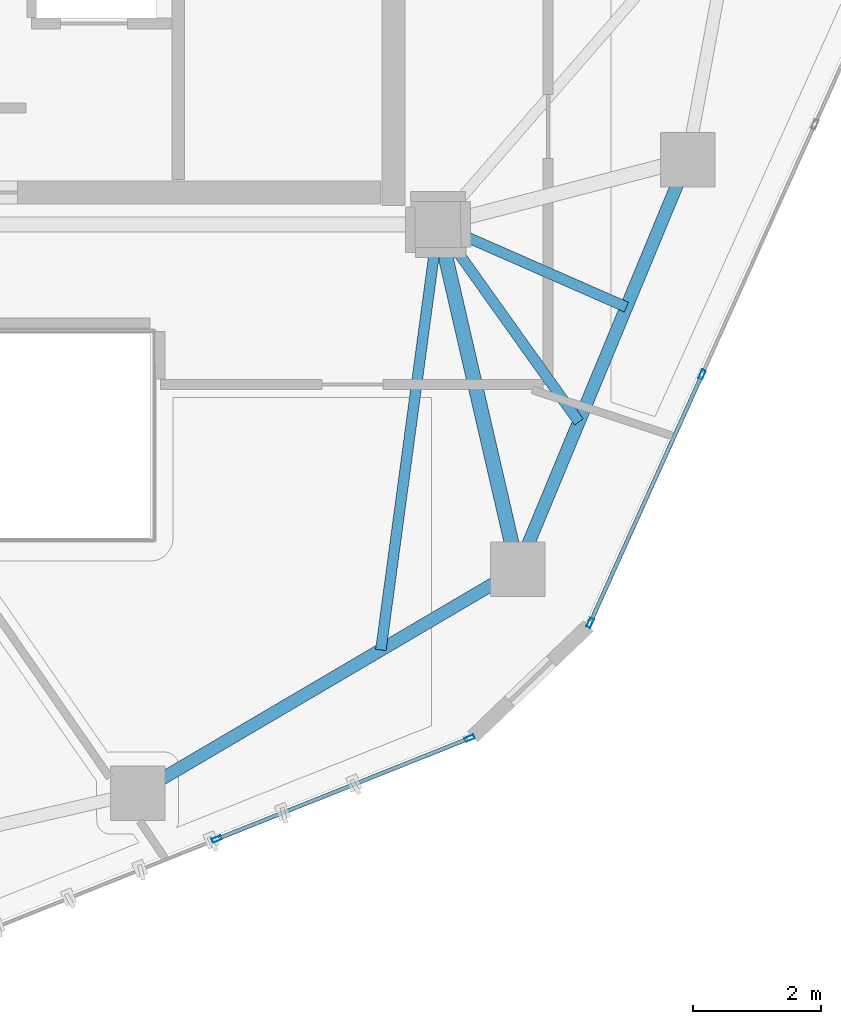
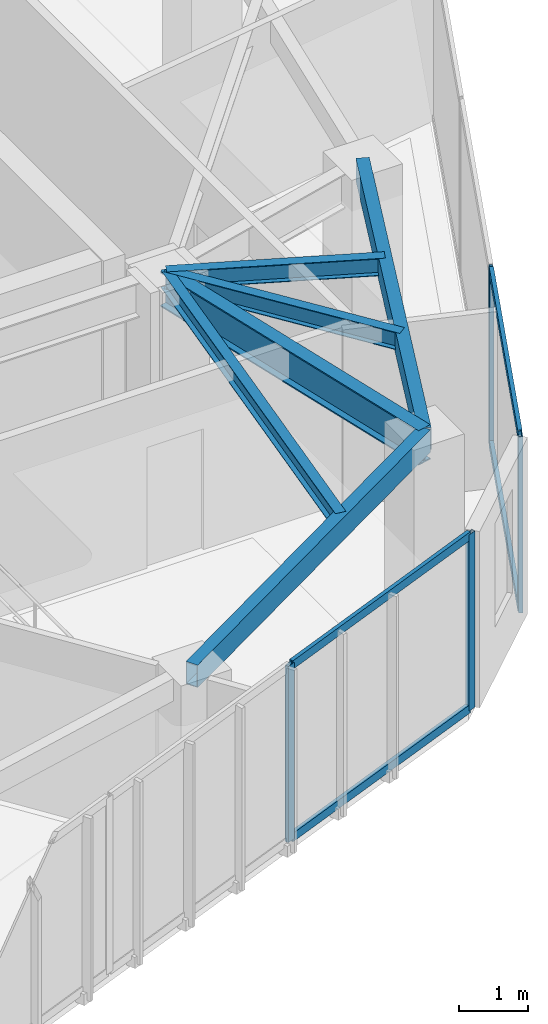
# One storey, part 6 of 20: 8 members, 6 beams, 2 elements without a shape of their own.
"""IFC4 building model written with IfcOpenShell, lengths in metres."""

from ifc_helpers import new_model, si_unit, direction, frame, origin, origin_2d, place, context, subcontext, project, spatial, hollow_rectangle, i_section, extrude, source, transform, mapped, material, layer, layer_set, material_profile, profile_set, type_object, type_shapes, element, aggregate, save


model = new_model("IFC4")

# Units and contexts
model_context = context("Model", 3, precision=1e-05, world=origin(), true_north=direction((0.0, 1.0)))
body_context = subcontext(model_context, "Body", "Model", "MODEL_VIEW")
ifc_project = project(units=[si_unit("LENGTHUNIT", "METRE"), si_unit("AREAUNIT", "SQUARE_METRE"), si_unit("VOLUMEUNIT", "CUBIC_METRE"), si_unit("PLANEANGLEUNIT", "RADIAN"), si_unit("MASSUNIT", "GRAM", prefix="KILO")], contexts=[model_context])

# Site, building, storey
site_placement = place(None, origin())
site = spatial("IfcSite", under=ifc_project, at=site_placement, CompositionType="ELEMENT")
building_placement = place(site_placement, origin())
building = spatial("IfcBuilding", under=site, at=building_placement, Name="Talar Marvaseh", CompositionType="ELEMENT")
storey_placement = place(building_placement, frame((0.0, 0.0, 278.199951171875)))
storey = spatial("IfcBuildingStorey", under=building, at=storey_placement, Name="L74", CompositionType="ELEMENT", Elevation=278.199951171875)

# Beams
ifc_material_1 = material(Name="Steel S355", Category="steel")
ifc_material_profile_1 = material_profile(ifc_material_1, hollow_rectangle(XDim=0.199951171875, YDim=0.39990234375, WallThickness=0.013916015625, at=origin_2d()), Name="RHS400x200x14")
ifc_profile_set_1 = profile_set([ifc_material_profile_1], Name="Steel S355")
beam_type_1 = type_object("IfcBeamType", Name="Zone 3 Perimeter Spandrel Beam RHS400x200x14", PredefinedType="SPANDREL", material=ifc_profile_set_1)
beam_1_placement = place(storey_placement, frame((37.197021484375, 26.513916015625, 2.93994140625), z_axis=(-0.382798740112, -0.923831762048, 0.0), x_axis=(0.923831762048, -0.382798740112, 0.0)))
element("IfcBeam", 1, at=beam_1_placement, inside=storey, type_object=beam_type_1, Name="L74 Zone 3 Perimeter Spandrel Beam RHS400x200x14", PredefinedType="SPANDREL", context=body_context, shape_type="SweptSolid", body=[
    extrude(hollow_rectangle(XDim=0.199951171875, YDim=0.39990234375, WallThickness=0.013916015625, at=origin_2d()), origin(), (0.0, 0.0, 1.0), 6.9306640625),
])
beam_2_placement = place(storey_placement, frame((34.5439453125, 20.111083984375, 2.93994140625), z_axis=(-0.861894136287, -0.507088254482, 0.0), x_axis=(0.507088254482, -0.861894136287, 0.0)))
element("IfcBeam", 2, at=beam_2_placement, inside=storey, type_object=beam_type_1, Name="L74 Zone 3 Perimeter Spandrel Beam RHS400x200x14", PredefinedType="SPANDREL", context=body_context, shape_type="SweptSolid", body=[
    extrude(hollow_rectangle(XDim=0.199951171875, YDim=0.39990234375, WallThickness=0.013916015625, at=origin_2d()), origin(), (0.0, 0.0, 1.0), 6.890625),
])
ifc_material_profile_2 = material_profile(ifc_material_1, i_section(OverallWidth=0.166015625, OverallDepth=0.31298828125, WebThickness=0.006591796875, FlangeThickness=0.01123046875, at=origin_2d()), Name="W310x45")
ifc_profile_set_2 = profile_set([ifc_material_profile_2], Name="Steel S355")
beam_type_2 = type_object("IfcBeamType", Name="Zone 3 Secondary Floor Joist W310x45", PredefinedType="JOIST", material=ifc_profile_set_2)
beam_3_placement = place(storey_placement, frame((36.241943359375, 24.208984375, 2.983642578125), z_axis=(-0.915706783714, 0.401847093135, 0.0), x_axis=(-0.401847093135, -0.915706783714, 0.0)))
element("IfcBeam", 3, at=beam_3_placement, inside=storey, type_object=beam_type_2, Name="L74 Zone 3 Secondary Floor Joist W310x45", PredefinedType="JOIST", context=body_context, shape_type="SweptSolid", body=[
    extrude(i_section(OverallWidth=0.166015625, OverallDepth=0.31298828125, WebThickness=0.006591796875, FlangeThickness=0.01123046875, at=origin_2d()), origin(), (0.0, 0.0, 1.0), 3.212646484375),
])
beam_4_placement = place(storey_placement, frame((35.4990234375, 22.416015625, 2.983642578125), z_axis=(-0.580561197682, 0.814216614757, 0.0), x_axis=(-0.814216614757, -0.580561197682, 0.0)))
element("IfcBeam", 4, at=beam_4_placement, inside=storey, type_object=beam_type_2, Name="L74 Zone 3 Secondary Floor Joist W310x45", PredefinedType="JOIST", context=body_context, shape_type="SweptSolid", body=[
    extrude(i_section(OverallWidth=0.166015625, OverallDepth=0.31298828125, WebThickness=0.006591796875, FlangeThickness=0.01123046875, at=origin_2d()), origin(), (0.0, 0.0, 1.0), 3.78759765625),
])
beam_5_placement = place(storey_placement, frame((32.406005859375, 18.853271484375, 2.983642578125), z_axis=(0.133308183872, 0.991074632968, 0.0), x_axis=(-0.991074632968, 0.133308183872, 0.0)))
element("IfcBeam", 5, at=beam_5_placement, inside=storey, type_object=beam_type_2, Name="L74 Zone 3 Secondary Floor Joist W310x45", PredefinedType="JOIST", context=body_context, shape_type="SweptSolid", body=[
    extrude(i_section(OverallWidth=0.166015625, OverallDepth=0.31298828125, WebThickness=0.006591796875, FlangeThickness=0.01123046875, at=origin_2d()), origin(), (0.0, 0.0, 1.0), 6.70654296875),
])
ifc_material_profile_3 = material_profile(ifc_material_1, i_section(OverallWidth=0.22998046875, OverallDepth=0.616943359375, WebThickness=0.01318359375, FlangeThickness=0.022216796875, at=origin_2d()), Name="W610x140")
ifc_profile_set_3 = profile_set([ifc_material_profile_3], Name="Steel S355")
beam_type_3 = type_object("IfcBeamType", Name="Zone 4 Radial Floor Girder W610x140", PredefinedType="BEAM", material=ifc_profile_set_3)
beam_6_placement = place(storey_placement, frame((34.5439453125, 20.111083984375, 2.83154296875), z_axis=(-0.22491108979, 0.974379290466, 0.0), x_axis=(-0.974379290466, -0.22491108979, 0.0)))
element("IfcBeam", 6, at=beam_6_placement, inside=storey, type_object=beam_type_3, Name="L74 Zone 4 Radial Floor Girder W610x140", PredefinedType="BEAM", context=body_context, shape_type="SweptSolid", body=[
    extrude(i_section(OverallWidth=0.22998046875, OverallDepth=0.616943359375, WebThickness=0.01318359375, FlangeThickness=0.022216796875, at=origin_2d()), origin(), (0.0, 0.0, 1.0), 5.530517578125),
])

# Curtain wall, members
ifc_material_2 = material(Name="Architectural Aluminium", Category="aluminium")
ifc_layer = layer(ifc_material_2, 0.179931640625)
ifc_layer_set = layer_set([ifc_layer], Name="Architectural Aluminium")
curtain_wall_type = type_object("IfcCurtainWallType", Name="Unitised High-Wind Sky Curtain Wall Z4", PredefinedType="NOTDEFINED", material=ifc_layer_set)
curtain_wall_1_placement = place(storey_placement, origin())
curtain_wall_1 = element("IfcCurtainWall", 7, at=curtain_wall_1_placement, inside=storey, type_object=curtain_wall_type, Name="L74 Unitised High-Wind Sky Curtain Wall Z4", PredefinedType="NOTDEFINED")
ifc_material_profile_4 = material_profile(ifc_material_2, hollow_rectangle(XDim=0.06494140625, YDim=0.14990234375, WallThickness=0.00390625, at=origin_2d()), Name="RHS150x65x4")
ifc_profile_set_4 = profile_set([ifc_material_profile_4], Name="Architectural Aluminium")
member_type_1 = type_object("IfcMemberType", Name="Unitised Curtain Wall Slim Transom RHS150x65x4", PredefinedType="USERDEFINED", material=ifc_profile_set_4)
shared_shape_1 = source(origin(), body_context, "Body", "SweptSolid", [
    extrude(hollow_rectangle(XDim=0.06494140625, YDim=0.14990234375, WallThickness=0.00390625, at=origin_2d()), origin(), (0.0, 0.0, 1.0), 4.188720703125),
])
type_shapes(member_type_1, [shared_shape_1])
member_1_placement = place(storey_placement, frame((37.410400390625, 23.126220703125, 0.032470703125), z_axis=(-0.410902612606, -0.911679243459, 0.0), x_axis=(0.911679243459, -0.410902612606, 0.0)))
member_1 = element("IfcMember", 8, at=member_1_placement, type_object=member_type_1, Name="CW-Z4 transom 4.1", ObjectType="TRANSOM", PredefinedType="USERDEFINED", context=body_context, shape_type="MappedRepresentation", body=[
    mapped(shared_shape_1, transform((0.0, 0.0, 0.0), x_axis=(1.0, 0.0, 0.0), y_axis=(0.0, 1.0, 0.0), z_axis=(0.0, 0.0, 1.0), scale=1.0)),
])
member_2_placement = place(storey_placement, frame((37.410400390625, 23.126220703125, 3.107666015625), z_axis=(-0.410902612606, -0.911679243459, 0.0), x_axis=(0.911679243459, -0.410902612606, 0.0)))
member_2 = element("IfcMember", 9, at=member_2_placement, type_object=member_type_1, Name="CW-Z4 transom 4.2", ObjectType="TRANSOM", PredefinedType="USERDEFINED", context=body_context, shape_type="MappedRepresentation", body=[
    mapped(shared_shape_1, transform((0.0, 0.0, 0.0), x_axis=(1.0, 0.0, 0.0), y_axis=(0.0, 1.0, 0.0), z_axis=(0.0, 0.0, 1.0), scale=1.0)),
])

curtain_wall_2_placement = place(storey_placement, origin())
curtain_wall_2 = element("IfcCurtainWall", 10, at=curtain_wall_2_placement, inside=storey, type_object=curtain_wall_type, Name="L74 Unitised High-Wind Sky Curtain Wall Z4", PredefinedType="NOTDEFINED")
member_3_placement = place(storey_placement, frame((33.76220703125, 17.462646484375, 0.032470703125), z_axis=(-0.928757796138, -0.370687140473, 0.0), x_axis=(0.370687140473, -0.928757796138, 0.0)))
member_3 = element("IfcMember", 11, at=member_3_placement, type_object=member_type_1, Name="CW-Z4 transom 1.1", ObjectType="TRANSOM", PredefinedType="USERDEFINED", context=body_context, shape_type="MappedRepresentation", body=[
    mapped(shared_shape_1, transform((0.0, 0.0, 0.0), x_axis=(1.0, 0.0, 0.0), y_axis=(0.0, 1.0, 0.0), z_axis=(0.0, 0.0, 1.0), scale=1.0)),
])
member_4_placement = place(storey_placement, frame((33.76220703125, 17.462646484375, 3.107666015625), z_axis=(-0.928757796138, -0.370687140473, 0.0), x_axis=(0.370687140473, -0.928757796138, 0.0)))
member_4 = element("IfcMember", 12, at=member_4_placement, type_object=member_type_1, Name="CW-Z4 transom 1.2", ObjectType="TRANSOM", PredefinedType="USERDEFINED", context=body_context, shape_type="MappedRepresentation", body=[
    mapped(shared_shape_1, transform((0.0, 0.0, 0.0), x_axis=(1.0, 0.0, 0.0), y_axis=(0.0, 1.0, 0.0), z_axis=(0.0, 0.0, 1.0), scale=1.0)),
])

# Member
ifc_material_profile_5 = material_profile(ifc_material_2, hollow_rectangle(XDim=0.06494140625, YDim=0.14990234375, WallThickness=0.00390625, at=origin_2d()), Name="RHS150x65x4")
ifc_profile_set_5 = profile_set([ifc_material_profile_5], Name="Architectural Aluminium")
member_type_2 = type_object("IfcMemberType", Name="Unitised Curtain Wall Slim Mullion RHS150x65x4", PredefinedType="MULLION", material=ifc_profile_set_5)
shared_shape_2 = source(origin(), body_context, "Body", "SweptSolid", [
    extrude(hollow_rectangle(XDim=0.06494140625, YDim=0.14990234375, WallThickness=0.00390625, at=origin_2d()), origin(), (0.0, 0.0, 1.0), 3.14013671875),
])
type_shapes(member_type_2, [shared_shape_2])
member_5_placement = place(storey_placement, frame((37.423583984375, 23.15576171875, 0.0), z_axis=(0.0, 0.0, 1.0), x_axis=(0.9116986288, -0.410859599187, 0.0)))
member_5 = element("IfcMember", 13, at=member_5_placement, type_object=member_type_2, Name="CW-Z4 mullion 4", PredefinedType="MULLION", context=body_context, shape_type="MappedRepresentation", body=[
    mapped(shared_shape_2, transform((0.0, 0.0, 0.0), x_axis=(1.0, 0.0, 0.0), y_axis=(0.0, 1.0, 0.0), z_axis=(0.0, 0.0, 1.0), scale=1.0)),
])

member_6_placement = place(storey_placement, frame((35.676025390625, 19.27783203125, 0.0), z_axis=(0.0, 0.0, 1.0), x_axis=(0.9116986288, -0.410859599187, 0.0)))
member_6 = element("IfcMember", 14, at=member_6_placement, type_object=member_type_2, Name="CW-Z4 mullion 5", PredefinedType="MULLION", context=body_context, shape_type="MappedRepresentation", body=[
    mapped(shared_shape_2, transform((0.0, 0.0, 0.0), x_axis=(1.0, 0.0, 0.0), y_axis=(0.0, 1.0, 0.0), z_axis=(0.0, 0.0, 1.0), scale=1.0)),
])

aggregate(curtain_wall_1, [member_5, member_6, member_1, member_2])

member_7_placement = place(storey_placement, frame((33.792236328125, 17.474609375, 0.0), z_axis=(0.0, 0.0, 1.0), x_axis=(0.370701725509, -0.928751974805, 0.0)))
member_7 = element("IfcMember", 15, at=member_7_placement, type_object=member_type_2, Name="CW-Z4 mullion 1", PredefinedType="MULLION", context=body_context, shape_type="MappedRepresentation", body=[
    mapped(shared_shape_2, transform((0.0, 0.0, 0.0), x_axis=(1.0, 0.0, 0.0), y_axis=(0.0, 1.0, 0.0), z_axis=(0.0, 0.0, 1.0), scale=1.0)),
])

member_8_placement = place(storey_placement, frame((29.841552734375, 15.897705078125, 0.0), z_axis=(0.0, 0.0, 1.0), x_axis=(0.370701725509, -0.928751974805, 0.0)))
member_8 = element("IfcMember", 16, at=member_8_placement, type_object=member_type_2, Name="CW-Z4 mullion 2", PredefinedType="MULLION", context=body_context, shape_type="MappedRepresentation", body=[
    mapped(shared_shape_2, transform((0.0, 0.0, 0.0), x_axis=(1.0, 0.0, 0.0), y_axis=(0.0, 1.0, 0.0), z_axis=(0.0, 0.0, 1.0), scale=1.0)),
])

aggregate(curtain_wall_2, [member_7, member_8, member_3, member_4])

save(model, "model.ifc")
